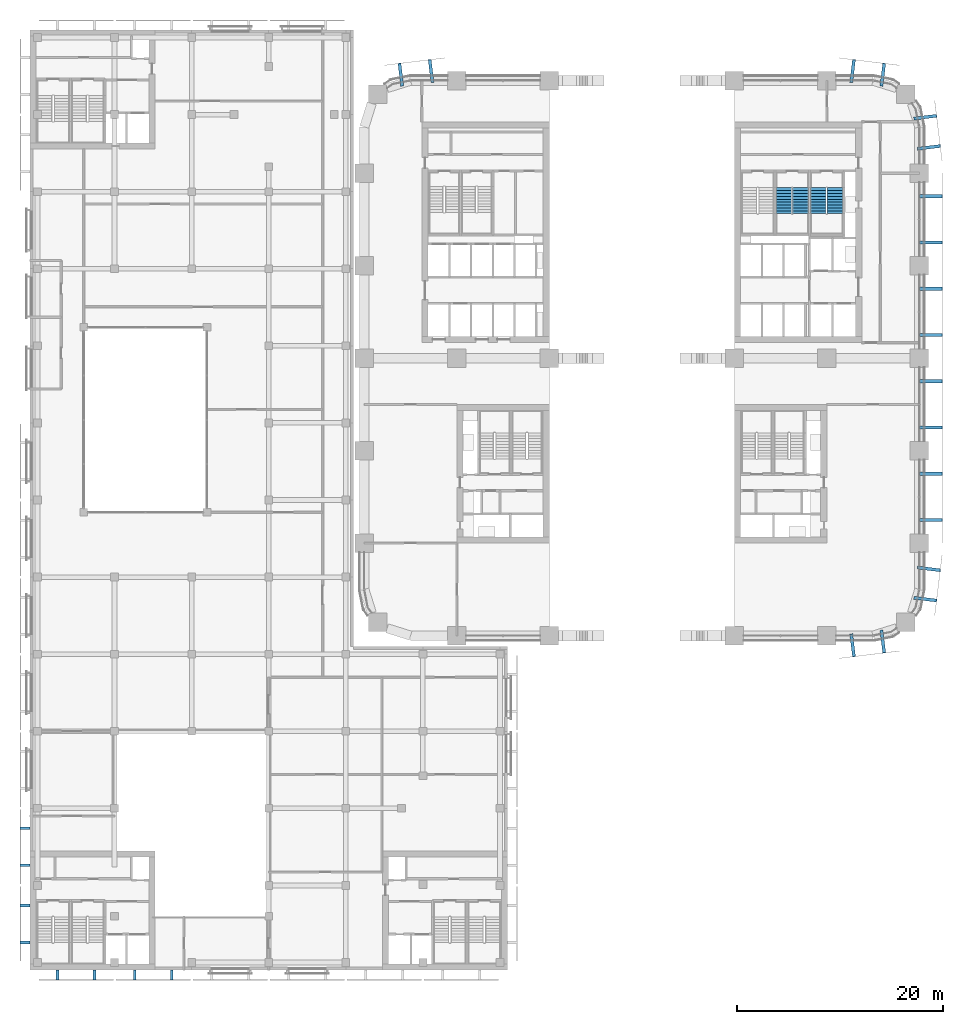
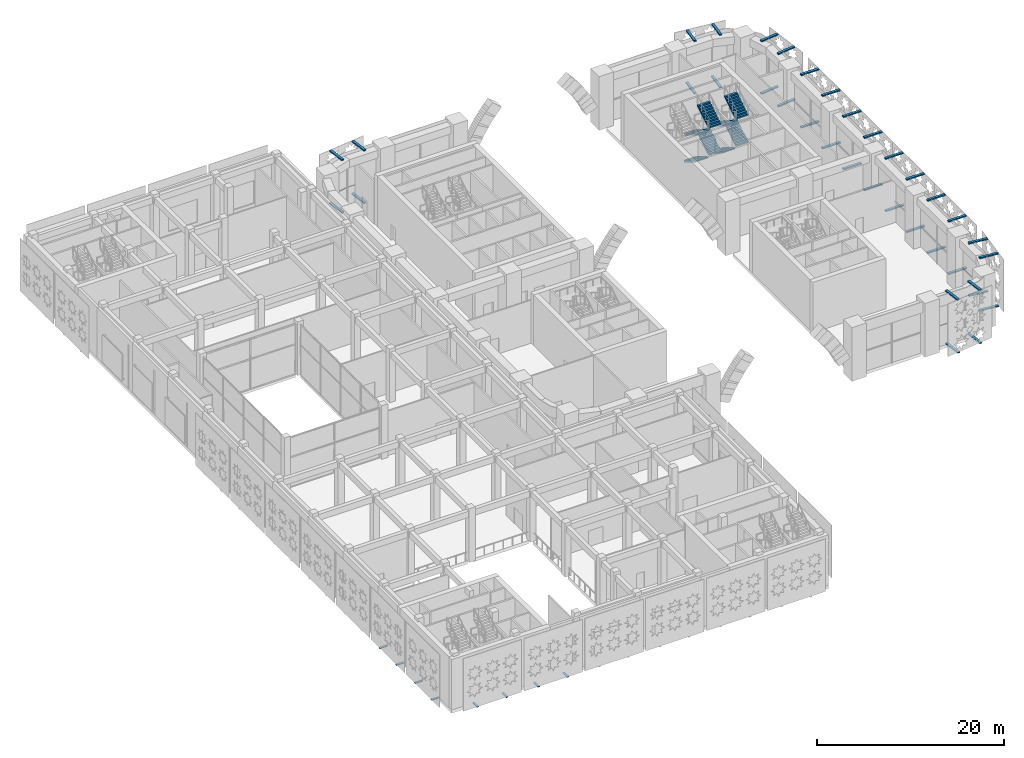
# One storey, part 26 of 42: 44 discrete accessories, 8 stair flights, 2 elements without a shape of their own.
"""IFC4 building model written with IfcOpenShell, lengths in metres."""

from ifc_helpers import new_model, si_unit, direction, frame, origin, origin_2d, place, context, subcontext, project, spatial, polyline, rectangle, outline, extrude, material, type_object, element, aggregate, save


model = new_model("IFC4")

# Units and contexts
model_context = context("Model", 3, precision=1e-05, world=origin(), true_north=direction((0.0, 1.0)))
body_context = subcontext(model_context, "Body", "Model", "MODEL_VIEW")
ifc_project = project(units=[si_unit("LENGTHUNIT", "METRE"), si_unit("AREAUNIT", "SQUARE_METRE"), si_unit("VOLUMEUNIT", "CUBIC_METRE"), si_unit("PLANEANGLEUNIT", "RADIAN"), si_unit("MASSUNIT", "GRAM", prefix="KILO")], contexts=[model_context])

# Site, building, storey
site_placement = place(None, origin())
site = spatial("IfcSite", under=ifc_project, at=site_placement, CompositionType="ELEMENT")
building_placement = place(site_placement, origin())
building = spatial("IfcBuilding", under=site, at=building_placement, Name="Tessera Arch", CompositionType="ELEMENT")
storey_placement = place(building_placement, frame((0.0, 0.0, 14.0)))
storey = spatial("IfcBuildingStorey", under=building, at=storey_placement, Name="L02", CompositionType="ELEMENT", Elevation=14.0)

# Stair, stair flights
ifc_material_1 = material(Name="Concrete C40/50", Category="concrete")
stair_type = type_object("IfcStairType", Name="Dogleg stair 1520", PredefinedType="HALF_TURN_STAIR", material=ifc_material_1)
stair_1_placement = place(storey_placement, origin())
stair_1 = element("IfcStair", 1, at=stair_1_placement, inside=storey, type_object=stair_type, Name="L02 S1b", PredefinedType="HALF_TURN_STAIR")
ifc_material_2 = material(Name="Concrete C40/50", Category="concrete")
stair_flight_type = type_object("IfcStairFlightType", Name="Stair flight 1520", PredefinedType="STRAIGHT", material=ifc_material_2)
stair_flight_1_placement = place(storey_placement, frame((40.81005859375, 43.580078125, 0.0), z_axis=(0.0, 0.0, 1.0), x_axis=(0.0, -1.0, 0.0)))
stair_flight_1 = element("IfcStairFlight", 2, at=stair_flight_1_placement, type_object=stair_flight_type, Name="S1b flight 1", NumberOfRisers=10, NumberOfTreads=9, PredefinedType="STRAIGHT", RiserHeight=0.175, TreadLength=0.28, context=body_context, shape_type="SweptSolid", body=[
    extrude(outline(polyline([(0.0, 0.0), (0.0, 0.175048828125), (0.280029296875, 0.175048828125), (0.280029296875, 0.35009765625), (0.56005859375, 0.35009765625), (0.56005859375, 0.52490234375), (0.840087890625, 0.52490234375), (0.840087890625, 0.699951171875), (1.1201171875, 0.699951171875), (1.1201171875, 0.875), (1.39990234375, 0.875), (1.39990234375, 1.050048828125), (1.679931640625, 1.050048828125), (1.679931640625, 1.22509765625), (1.9599609375, 1.22509765625), (1.9599609375, 1.39990234375), (2.239990234375, 1.39990234375), (2.239990234375, 1.574951171875), (2.52001953125, 1.574951171875), (2.52001953125, 1.75), (2.52001953125, 1.398193359375), (0.28271484375, 0.0), (0.0, 0.0)])), frame((0.0, 0.760009765625, 0.0), z_axis=(0.0, -1.0, 0.0), x_axis=(1.0, 0.0, 0.0)), (0.0, 0.0, 1.0), 1.52001953125),
])
stair_flight_2_placement = place(storey_placement, frame((42.43994140625, 41.06005859375, 1.75), z_axis=(0.0, 0.0, 1.0), x_axis=(0.0, 1.0, 0.0)))
stair_flight_2 = element("IfcStairFlight", 3, at=stair_flight_2_placement, type_object=stair_flight_type, Name="S1b flight 2", NumberOfRisers=10, NumberOfTreads=9, PredefinedType="STRAIGHT", RiserHeight=0.175, TreadLength=0.28, context=body_context, shape_type="SweptSolid", body=[
    extrude(outline(polyline([(0.0, 0.0), (0.0, 0.175048828125), (0.280029296875, 0.175048828125), (0.280029296875, 0.35009765625), (0.56005859375, 0.35009765625), (0.56005859375, 0.52490234375), (0.840087890625, 0.52490234375), (0.840087890625, 0.699951171875), (1.1201171875, 0.699951171875), (1.1201171875, 0.875), (1.39990234375, 0.875), (1.39990234375, 1.050048828125), (1.679931640625, 1.050048828125), (1.679931640625, 1.22509765625), (1.9599609375, 1.22509765625), (1.9599609375, 1.39990234375), (2.239990234375, 1.39990234375), (2.239990234375, 1.574951171875), (2.52001953125, 1.574951171875), (2.52001953125, 1.75), (2.52001953125, 1.398193359375), (0.28271484375, 0.0), (0.0, 0.0)])), frame((0.0, 0.760009765625, 0.0), z_axis=(0.0, -1.0, 0.0), x_axis=(1.0, 0.0, 0.0)), (0.0, 0.0, 1.0), 1.52001953125),
])
stair_flight_3_placement = place(storey_placement, frame((40.81005859375, 43.580078125, 3.5), z_axis=(0.0, 0.0, 1.0), x_axis=(0.0, -1.0, 0.0)))
stair_flight_3 = element("IfcStairFlight", 4, at=stair_flight_3_placement, type_object=stair_flight_type, Name="S1b flight 3", NumberOfRisers=10, NumberOfTreads=9, PredefinedType="STRAIGHT", RiserHeight=0.175, TreadLength=0.28, context=body_context, shape_type="SweptSolid", body=[
    extrude(outline(polyline([(0.0, 0.0), (0.0, 0.175048828125), (0.280029296875, 0.175048828125), (0.280029296875, 0.35009765625), (0.56005859375, 0.35009765625), (0.56005859375, 0.52490234375), (0.840087890625, 0.52490234375), (0.840087890625, 0.699951171875), (1.1201171875, 0.699951171875), (1.1201171875, 0.875), (1.39990234375, 0.875), (1.39990234375, 1.050048828125), (1.679931640625, 1.050048828125), (1.679931640625, 1.22509765625), (1.9599609375, 1.22509765625), (1.9599609375, 1.39990234375), (2.239990234375, 1.39990234375), (2.239990234375, 1.574951171875), (2.52001953125, 1.574951171875), (2.52001953125, 1.75), (2.52001953125, 1.398193359375), (0.28271484375, 0.0), (0.0, 0.0)])), frame((0.0, 0.760009765625, 0.0), z_axis=(0.0, -1.0, 0.0), x_axis=(1.0, 0.0, 0.0)), (0.0, 0.0, 1.0), 1.52001953125),
])
stair_flight_4_placement = place(storey_placement, frame((42.43994140625, 41.06005859375, 5.25), z_axis=(0.0, 0.0, 1.0), x_axis=(0.0, 1.0, 0.0)))
stair_flight_4 = element("IfcStairFlight", 5, at=stair_flight_4_placement, type_object=stair_flight_type, Name="S1b flight 4", NumberOfRisers=10, NumberOfTreads=9, PredefinedType="STRAIGHT", RiserHeight=0.175, TreadLength=0.28, context=body_context, shape_type="SweptSolid", body=[
    extrude(outline(polyline([(0.0, 0.0), (0.0, 0.175048828125), (0.280029296875, 0.175048828125), (0.280029296875, 0.35009765625), (0.56005859375, 0.35009765625), (0.56005859375, 0.52490234375), (0.840087890625, 0.52490234375), (0.840087890625, 0.699951171875), (1.1201171875, 0.699951171875), (1.1201171875, 0.875), (1.39990234375, 0.875), (1.39990234375, 1.050048828125), (1.679931640625, 1.050048828125), (1.679931640625, 1.22509765625), (1.9599609375, 1.22509765625), (1.9599609375, 1.39990234375), (2.239990234375, 1.39990234375), (2.239990234375, 1.574951171875), (2.52001953125, 1.574951171875), (2.52001953125, 1.75), (2.52001953125, 1.398193359375), (0.28271484375, 0.0), (0.0, 0.0)])), frame((0.0, 0.760009765625, 0.0), z_axis=(0.0, -1.0, 0.0), x_axis=(1.0, 0.0, 0.0)), (0.0, 0.0, 1.0), 1.52001953125),
])
aggregate(stair_1, [stair_flight_1, stair_flight_2, stair_flight_3, stair_flight_4])

stair_2_placement = place(storey_placement, origin())
stair_2 = element("IfcStair", 6, at=stair_2_placement, inside=storey, type_object=stair_type, Name="L02 S1c", PredefinedType="HALF_TURN_STAIR")
stair_flight_5_placement = place(storey_placement, frame((44.159912109375, 43.580078125, 0.0), z_axis=(0.0, 0.0, 1.0), x_axis=(0.0, -1.0, 0.0)))
stair_flight_5 = element("IfcStairFlight", 7, at=stair_flight_5_placement, type_object=stair_flight_type, Name="S1c flight 1", NumberOfRisers=10, NumberOfTreads=9, PredefinedType="STRAIGHT", RiserHeight=0.175, TreadLength=0.28, context=body_context, shape_type="SweptSolid", body=[
    extrude(outline(polyline([(0.0, 0.0), (0.0, 0.175048828125), (0.280029296875, 0.175048828125), (0.280029296875, 0.35009765625), (0.56005859375, 0.35009765625), (0.56005859375, 0.52490234375), (0.840087890625, 0.52490234375), (0.840087890625, 0.699951171875), (1.1201171875, 0.699951171875), (1.1201171875, 0.875), (1.39990234375, 0.875), (1.39990234375, 1.050048828125), (1.679931640625, 1.050048828125), (1.679931640625, 1.22509765625), (1.9599609375, 1.22509765625), (1.9599609375, 1.39990234375), (2.239990234375, 1.39990234375), (2.239990234375, 1.574951171875), (2.52001953125, 1.574951171875), (2.52001953125, 1.75), (2.52001953125, 1.398193359375), (0.28271484375, 0.0), (0.0, 0.0)])), frame((0.0, 0.760009765625, 0.0), z_axis=(0.0, -1.0, 0.0), x_axis=(1.0, 0.0, 0.0)), (0.0, 0.0, 1.0), 1.52001953125),
])
stair_flight_6_placement = place(storey_placement, frame((45.7900390625, 41.06005859375, 1.75), z_axis=(0.0, 0.0, 1.0), x_axis=(0.0, 1.0, 0.0)))
stair_flight_6 = element("IfcStairFlight", 8, at=stair_flight_6_placement, type_object=stair_flight_type, Name="S1c flight 2", NumberOfRisers=10, NumberOfTreads=9, PredefinedType="STRAIGHT", RiserHeight=0.175, TreadLength=0.28, context=body_context, shape_type="SweptSolid", body=[
    extrude(outline(polyline([(0.0, 0.0), (0.0, 0.175048828125), (0.280029296875, 0.175048828125), (0.280029296875, 0.35009765625), (0.56005859375, 0.35009765625), (0.56005859375, 0.52490234375), (0.840087890625, 0.52490234375), (0.840087890625, 0.699951171875), (1.1201171875, 0.699951171875), (1.1201171875, 0.875), (1.39990234375, 0.875), (1.39990234375, 1.050048828125), (1.679931640625, 1.050048828125), (1.679931640625, 1.22509765625), (1.9599609375, 1.22509765625), (1.9599609375, 1.39990234375), (2.239990234375, 1.39990234375), (2.239990234375, 1.574951171875), (2.52001953125, 1.574951171875), (2.52001953125, 1.75), (2.52001953125, 1.398193359375), (0.28271484375, 0.0), (0.0, 0.0)])), frame((0.0, 0.760009765625, 0.0), z_axis=(0.0, -1.0, 0.0), x_axis=(1.0, 0.0, 0.0)), (0.0, 0.0, 1.0), 1.52001953125),
])
stair_flight_7_placement = place(storey_placement, frame((44.159912109375, 43.580078125, 3.5), z_axis=(0.0, 0.0, 1.0), x_axis=(0.0, -1.0, 0.0)))
stair_flight_7 = element("IfcStairFlight", 9, at=stair_flight_7_placement, type_object=stair_flight_type, Name="S1c flight 3", NumberOfRisers=10, NumberOfTreads=9, PredefinedType="STRAIGHT", RiserHeight=0.175, TreadLength=0.28, context=body_context, shape_type="SweptSolid", body=[
    extrude(outline(polyline([(0.0, 0.0), (0.0, 0.175048828125), (0.280029296875, 0.175048828125), (0.280029296875, 0.35009765625), (0.56005859375, 0.35009765625), (0.56005859375, 0.52490234375), (0.840087890625, 0.52490234375), (0.840087890625, 0.699951171875), (1.1201171875, 0.699951171875), (1.1201171875, 0.875), (1.39990234375, 0.875), (1.39990234375, 1.050048828125), (1.679931640625, 1.050048828125), (1.679931640625, 1.22509765625), (1.9599609375, 1.22509765625), (1.9599609375, 1.39990234375), (2.239990234375, 1.39990234375), (2.239990234375, 1.574951171875), (2.52001953125, 1.574951171875), (2.52001953125, 1.75), (2.52001953125, 1.398193359375), (0.28271484375, 0.0), (0.0, 0.0)])), frame((0.0, 0.760009765625, 0.0), z_axis=(0.0, -1.0, 0.0), x_axis=(1.0, 0.0, 0.0)), (0.0, 0.0, 1.0), 1.52001953125),
])
stair_flight_8_placement = place(storey_placement, frame((45.7900390625, 41.06005859375, 5.25), z_axis=(0.0, 0.0, 1.0), x_axis=(0.0, 1.0, 0.0)))
stair_flight_8 = element("IfcStairFlight", 10, at=stair_flight_8_placement, type_object=stair_flight_type, Name="S1c flight 4", NumberOfRisers=10, NumberOfTreads=9, PredefinedType="STRAIGHT", RiserHeight=0.175, TreadLength=0.28, context=body_context, shape_type="SweptSolid", body=[
    extrude(outline(polyline([(0.0, 0.0), (0.0, 0.175048828125), (0.280029296875, 0.175048828125), (0.280029296875, 0.35009765625), (0.56005859375, 0.35009765625), (0.56005859375, 0.52490234375), (0.840087890625, 0.52490234375), (0.840087890625, 0.699951171875), (1.1201171875, 0.699951171875), (1.1201171875, 0.875), (1.39990234375, 0.875), (1.39990234375, 1.050048828125), (1.679931640625, 1.050048828125), (1.679931640625, 1.22509765625), (1.9599609375, 1.22509765625), (1.9599609375, 1.39990234375), (2.239990234375, 1.39990234375), (2.239990234375, 1.574951171875), (2.52001953125, 1.574951171875), (2.52001953125, 1.75), (2.52001953125, 1.398193359375), (0.28271484375, 0.0), (0.0, 0.0)])), frame((0.0, 0.760009765625, 0.0), z_axis=(0.0, -1.0, 0.0), x_axis=(1.0, 0.0, 0.0)), (0.0, 0.0, 1.0), 1.52001953125),
])
aggregate(stair_2, [stair_flight_5, stair_flight_6, stair_flight_7, stair_flight_8])

# Discrete accessories
discrete_accessory_1_placement = place(storey_placement, frame((6.493408203125, 54.9375, 0.0), z_axis=(0.0, 0.0, 1.0), x_axis=(-0.120951161885, 0.992658459108, 0.0)))
element("IfcDiscreteAccessory", 11, at=discrete_accessory_1_placement, inside=storey, Name="Screen panel bracket", PredefinedType="BRACKET", context=body_context, shape_type="SweptSolid", body=[
    extrude(rectangle(XDim=2.25, YDim=0.300048828125, at=origin_2d()), origin(), (0.0, 0.0, 1.0), 0.159912109375),
])
discrete_accessory_2_placement = place(storey_placement, frame((6.49658203125, 54.91259765625, 6.83984375), z_axis=(0.0, 0.0, 1.0), x_axis=(-0.120951161885, 0.992658459108, 0.0)))
element("IfcDiscreteAccessory", 12, at=discrete_accessory_2_placement, inside=storey, Name="Screen panel bracket", PredefinedType="BRACKET", context=body_context, shape_type="SweptSolid", body=[
    extrude(rectangle(XDim=2.199951171875, YDim=0.300048828125, at=origin_2d()), origin(), (0.0, 0.0, 1.0), 0.159912109375),
])
discrete_accessory_3_placement = place(storey_placement, frame((3.552490234375, 54.5791015625, 0.0), z_axis=(0.0, 0.0, 1.0), x_axis=(-0.120951161885, 0.992658459108, 0.0)))
element("IfcDiscreteAccessory", 13, at=discrete_accessory_3_placement, inside=storey, Name="Screen panel bracket", PredefinedType="BRACKET", context=body_context, shape_type="SweptSolid", body=[
    extrude(rectangle(XDim=2.25, YDim=0.300048828125, at=origin_2d()), origin(), (0.0, 0.0, 1.0), 0.159912109375),
])
discrete_accessory_4_placement = place(storey_placement, frame((3.555419921875, 54.554443359375, 6.83984375), z_axis=(0.0, 0.0, 1.0), x_axis=(-0.120951161885, 0.992658459108, 0.0)))
element("IfcDiscreteAccessory", 14, at=discrete_accessory_4_placement, inside=storey, Name="Screen panel bracket", PredefinedType="BRACKET", context=body_context, shape_type="SweptSolid", body=[
    extrude(rectangle(XDim=2.199951171875, YDim=0.300048828125, at=origin_2d()), origin(), (0.0, 0.0, 1.0), 0.159912109375),
])
discrete_accessory_5_placement = place(storey_placement, frame((55.125, 11.25, 0.0), z_axis=(0.0, 0.0, 1.0), x_axis=(1.0, 0.0, 0.0)))
element("IfcDiscreteAccessory", 15, at=discrete_accessory_5_placement, inside=storey, Name="Screen panel bracket", PredefinedType="BRACKET", context=body_context, shape_type="SweptSolid", body=[
    extrude(rectangle(XDim=2.25, YDim=0.300048828125, at=origin_2d()), origin(), (0.0, 0.0, 1.0), 0.159912109375),
])
discrete_accessory_6_placement = place(storey_placement, frame((55.10009765625, 11.25, 6.83984375), z_axis=(0.0, 0.0, 1.0), x_axis=(1.0, 0.0, 0.0)))
element("IfcDiscreteAccessory", 16, at=discrete_accessory_6_placement, inside=storey, Name="Screen panel bracket", PredefinedType="BRACKET", context=body_context, shape_type="SweptSolid", body=[
    extrude(rectangle(XDim=2.199951171875, YDim=0.300048828125, at=origin_2d()), origin(), (0.0, 0.0, 1.0), 0.159912109375),
])
discrete_accessory_7_placement = place(storey_placement, frame((55.125, 15.75, 0.0), z_axis=(0.0, 0.0, 1.0), x_axis=(1.0, 0.0, 0.0)))
element("IfcDiscreteAccessory", 17, at=discrete_accessory_7_placement, inside=storey, Name="Screen panel bracket", PredefinedType="BRACKET", context=body_context, shape_type="SweptSolid", body=[
    extrude(rectangle(XDim=2.25, YDim=0.300048828125, at=origin_2d()), origin(), (0.0, 0.0, 1.0), 0.159912109375),
])
discrete_accessory_8_placement = place(storey_placement, frame((55.10009765625, 15.75, 6.83984375), z_axis=(0.0, 0.0, 1.0), x_axis=(1.0, 0.0, 0.0)))
element("IfcDiscreteAccessory", 18, at=discrete_accessory_8_placement, inside=storey, Name="Screen panel bracket", PredefinedType="BRACKET", context=body_context, shape_type="SweptSolid", body=[
    extrude(rectangle(XDim=2.199951171875, YDim=0.300048828125, at=origin_2d()), origin(), (0.0, 0.0, 1.0), 0.159912109375),
])
discrete_accessory_9_placement = place(storey_placement, frame((55.125, 20.25, 0.0), z_axis=(0.0, 0.0, 1.0), x_axis=(1.0, 0.0, 0.0)))
element("IfcDiscreteAccessory", 19, at=discrete_accessory_9_placement, inside=storey, Name="Screen panel bracket", PredefinedType="BRACKET", context=body_context, shape_type="SweptSolid", body=[
    extrude(rectangle(XDim=2.25, YDim=0.300048828125, at=origin_2d()), origin(), (0.0, 0.0, 1.0), 0.159912109375),
])
discrete_accessory_10_placement = place(storey_placement, frame((55.10009765625, 20.25, 6.83984375), z_axis=(0.0, 0.0, 1.0), x_axis=(1.0, 0.0, 0.0)))
element("IfcDiscreteAccessory", 20, at=discrete_accessory_10_placement, inside=storey, Name="Screen panel bracket", PredefinedType="BRACKET", context=body_context, shape_type="SweptSolid", body=[
    extrude(rectangle(XDim=2.199951171875, YDim=0.300048828125, at=origin_2d()), origin(), (0.0, 0.0, 1.0), 0.159912109375),
])
discrete_accessory_11_placement = place(storey_placement, frame((55.125, 24.75, 0.0), z_axis=(0.0, 0.0, 1.0), x_axis=(1.0, 0.0, 0.0)))
element("IfcDiscreteAccessory", 21, at=discrete_accessory_11_placement, inside=storey, Name="Screen panel bracket", PredefinedType="BRACKET", context=body_context, shape_type="SweptSolid", body=[
    extrude(rectangle(XDim=2.25, YDim=0.300048828125, at=origin_2d()), origin(), (0.0, 0.0, 1.0), 0.159912109375),
])
discrete_accessory_12_placement = place(storey_placement, frame((55.10009765625, 24.75, 6.83984375), z_axis=(0.0, 0.0, 1.0), x_axis=(1.0, 0.0, 0.0)))
element("IfcDiscreteAccessory", 22, at=discrete_accessory_12_placement, inside=storey, Name="Screen panel bracket", PredefinedType="BRACKET", context=body_context, shape_type="SweptSolid", body=[
    extrude(rectangle(XDim=2.199951171875, YDim=0.300048828125, at=origin_2d()), origin(), (0.0, 0.0, 1.0), 0.159912109375),
])
discrete_accessory_13_placement = place(storey_placement, frame((55.125, 29.25, 0.0), z_axis=(0.0, 0.0, 1.0), x_axis=(1.0, 0.0, 0.0)))
element("IfcDiscreteAccessory", 23, at=discrete_accessory_13_placement, inside=storey, Name="Screen panel bracket", PredefinedType="BRACKET", context=body_context, shape_type="SweptSolid", body=[
    extrude(rectangle(XDim=2.25, YDim=0.300048828125, at=origin_2d()), origin(), (0.0, 0.0, 1.0), 0.159912109375),
])
discrete_accessory_14_placement = place(storey_placement, frame((55.10009765625, 29.25, 6.83984375), z_axis=(0.0, 0.0, 1.0), x_axis=(1.0, 0.0, 0.0)))
element("IfcDiscreteAccessory", 24, at=discrete_accessory_14_placement, inside=storey, Name="Screen panel bracket", PredefinedType="BRACKET", context=body_context, shape_type="SweptSolid", body=[
    extrude(rectangle(XDim=2.199951171875, YDim=0.300048828125, at=origin_2d()), origin(), (0.0, 0.0, 1.0), 0.159912109375),
])
discrete_accessory_15_placement = place(storey_placement, frame((55.125, 33.75, 0.0), z_axis=(0.0, 0.0, 1.0), x_axis=(1.0, 0.0, 0.0)))
element("IfcDiscreteAccessory", 25, at=discrete_accessory_15_placement, inside=storey, Name="Screen panel bracket", PredefinedType="BRACKET", context=body_context, shape_type="SweptSolid", body=[
    extrude(rectangle(XDim=2.25, YDim=0.300048828125, at=origin_2d()), origin(), (0.0, 0.0, 1.0), 0.159912109375),
])
discrete_accessory_16_placement = place(storey_placement, frame((55.10009765625, 33.75, 6.83984375), z_axis=(0.0, 0.0, 1.0), x_axis=(1.0, 0.0, 0.0)))
element("IfcDiscreteAccessory", 26, at=discrete_accessory_16_placement, inside=storey, Name="Screen panel bracket", PredefinedType="BRACKET", context=body_context, shape_type="SweptSolid", body=[
    extrude(rectangle(XDim=2.199951171875, YDim=0.300048828125, at=origin_2d()), origin(), (0.0, 0.0, 1.0), 0.159912109375),
])
discrete_accessory_17_placement = place(storey_placement, frame((55.125, 38.25, 0.0), z_axis=(0.0, 0.0, 1.0), x_axis=(1.0, 0.0, 0.0)))
element("IfcDiscreteAccessory", 27, at=discrete_accessory_17_placement, inside=storey, Name="Screen panel bracket", PredefinedType="BRACKET", context=body_context, shape_type="SweptSolid", body=[
    extrude(rectangle(XDim=2.25, YDim=0.300048828125, at=origin_2d()), origin(), (0.0, 0.0, 1.0), 0.159912109375),
])
discrete_accessory_18_placement = place(storey_placement, frame((55.10009765625, 38.25, 6.83984375), z_axis=(0.0, 0.0, 1.0), x_axis=(1.0, 0.0, 0.0)))
element("IfcDiscreteAccessory", 28, at=discrete_accessory_18_placement, inside=storey, Name="Screen panel bracket", PredefinedType="BRACKET", context=body_context, shape_type="SweptSolid", body=[
    extrude(rectangle(XDim=2.199951171875, YDim=0.300048828125, at=origin_2d()), origin(), (0.0, 0.0, 1.0), 0.159912109375),
])
discrete_accessory_19_placement = place(storey_placement, frame((55.125, 42.75, 0.0), z_axis=(0.0, 0.0, 1.0), x_axis=(1.0, 0.0, 0.0)))
element("IfcDiscreteAccessory", 29, at=discrete_accessory_19_placement, inside=storey, Name="Screen panel bracket", PredefinedType="BRACKET", context=body_context, shape_type="SweptSolid", body=[
    extrude(rectangle(XDim=2.25, YDim=0.300048828125, at=origin_2d()), origin(), (0.0, 0.0, 1.0), 0.159912109375),
])
discrete_accessory_20_placement = place(storey_placement, frame((55.10009765625, 42.75, 6.83984375), z_axis=(0.0, 0.0, 1.0), x_axis=(1.0, 0.0, 0.0)))
element("IfcDiscreteAccessory", 30, at=discrete_accessory_20_placement, inside=storey, Name="Screen panel bracket", PredefinedType="BRACKET", context=body_context, shape_type="SweptSolid", body=[
    extrude(rectangle(XDim=2.199951171875, YDim=0.300048828125, at=origin_2d()), origin(), (0.0, 0.0, 1.0), 0.159912109375),
])
discrete_accessory_21_placement = place(storey_placement, frame((54.9375, 47.506591796875, 0.0), z_axis=(0.0, 0.0, 1.0), x_axis=(0.992658459108, 0.120951161885, 0.0)))
element("IfcDiscreteAccessory", 31, at=discrete_accessory_21_placement, inside=storey, Name="Screen panel bracket", PredefinedType="BRACKET", context=body_context, shape_type="SweptSolid", body=[
    extrude(rectangle(XDim=2.25, YDim=0.300048828125, at=origin_2d()), origin(), (0.0, 0.0, 1.0), 0.159912109375),
])
discrete_accessory_22_placement = place(storey_placement, frame((54.91259765625, 47.50341796875, 6.83984375), z_axis=(0.0, 0.0, 1.0), x_axis=(0.992658459108, 0.120951161885, 0.0)))
element("IfcDiscreteAccessory", 32, at=discrete_accessory_22_placement, inside=storey, Name="Screen panel bracket", PredefinedType="BRACKET", context=body_context, shape_type="SweptSolid", body=[
    extrude(rectangle(XDim=2.199951171875, YDim=0.300048828125, at=origin_2d()), origin(), (0.0, 0.0, 1.0), 0.159912109375),
])
discrete_accessory_23_placement = place(storey_placement, frame((54.5791015625, 50.447509765625, 0.0), z_axis=(0.0, 0.0, 1.0), x_axis=(0.992658459108, 0.120951161885, 0.0)))
element("IfcDiscreteAccessory", 33, at=discrete_accessory_23_placement, inside=storey, Name="Screen panel bracket", PredefinedType="BRACKET", context=body_context, shape_type="SweptSolid", body=[
    extrude(rectangle(XDim=2.25, YDim=0.300048828125, at=origin_2d()), origin(), (0.0, 0.0, 1.0), 0.159912109375),
])
discrete_accessory_24_placement = place(storey_placement, frame((54.554443359375, 50.444580078125, 6.83984375), z_axis=(0.0, 0.0, 1.0), x_axis=(0.992658459108, 0.120951161885, 0.0)))
element("IfcDiscreteAccessory", 34, at=discrete_accessory_24_placement, inside=storey, Name="Screen panel bracket", PredefinedType="BRACKET", context=body_context, shape_type="SweptSolid", body=[
    extrude(rectangle(XDim=2.199951171875, YDim=0.300048828125, at=origin_2d()), origin(), (0.0, 0.0, 1.0), 0.159912109375),
])
discrete_accessory_25_placement = place(storey_placement, frame((50.447509765625, 54.5791015625, 0.0), z_axis=(0.0, 0.0, 1.0), x_axis=(0.120951161885, 0.992658459108, 0.0)))
element("IfcDiscreteAccessory", 35, at=discrete_accessory_25_placement, inside=storey, Name="Screen panel bracket", PredefinedType="BRACKET", context=body_context, shape_type="SweptSolid", body=[
    extrude(rectangle(XDim=2.25, YDim=0.300048828125, at=origin_2d()), origin(), (0.0, 0.0, 1.0), 0.159912109375),
])
discrete_accessory_26_placement = place(storey_placement, frame((50.444580078125, 54.554443359375, 6.83984375), z_axis=(0.0, 0.0, 1.0), x_axis=(0.120951161885, 0.992658459108, 0.0)))
element("IfcDiscreteAccessory", 36, at=discrete_accessory_26_placement, inside=storey, Name="Screen panel bracket", PredefinedType="BRACKET", context=body_context, shape_type="SweptSolid", body=[
    extrude(rectangle(XDim=2.199951171875, YDim=0.300048828125, at=origin_2d()), origin(), (0.0, 0.0, 1.0), 0.159912109375),
])
discrete_accessory_27_placement = place(storey_placement, frame((47.506591796875, 54.9375, 0.0), z_axis=(0.0, 0.0, 1.0), x_axis=(0.120951161885, 0.992658459108, 0.0)))
element("IfcDiscreteAccessory", 37, at=discrete_accessory_27_placement, inside=storey, Name="Screen panel bracket", PredefinedType="BRACKET", context=body_context, shape_type="SweptSolid", body=[
    extrude(rectangle(XDim=2.25, YDim=0.300048828125, at=origin_2d()), origin(), (0.0, 0.0, 1.0), 0.159912109375),
])
discrete_accessory_28_placement = place(storey_placement, frame((47.50341796875, 54.91259765625, 6.83984375), z_axis=(0.0, 0.0, 1.0), x_axis=(0.120951161885, 0.992658459108, 0.0)))
element("IfcDiscreteAccessory", 38, at=discrete_accessory_28_placement, inside=storey, Name="Screen panel bracket", PredefinedType="BRACKET", context=body_context, shape_type="SweptSolid", body=[
    extrude(rectangle(XDim=2.199951171875, YDim=0.300048828125, at=origin_2d()), origin(), (0.0, 0.0, 1.0), 0.159912109375),
])
discrete_accessory_29_placement = place(storey_placement, frame((47.506591796875, -0.9375, 0.0), z_axis=(0.0, 0.0, 1.0), x_axis=(0.120951161885, -0.992658459108, 0.0)))
element("IfcDiscreteAccessory", 39, at=discrete_accessory_29_placement, inside=storey, Name="Screen panel bracket", PredefinedType="BRACKET", context=body_context, shape_type="SweptSolid", body=[
    extrude(rectangle(XDim=2.25, YDim=0.300048828125, at=origin_2d()), origin(), (0.0, 0.0, 1.0), 0.159912109375),
])
discrete_accessory_30_placement = place(storey_placement, frame((47.50341796875, -0.91259765625, 6.83984375), z_axis=(0.0, 0.0, 1.0), x_axis=(0.120951161885, -0.992658459108, 0.0)))
element("IfcDiscreteAccessory", 40, at=discrete_accessory_30_placement, inside=storey, Name="Screen panel bracket", PredefinedType="BRACKET", context=body_context, shape_type="SweptSolid", body=[
    extrude(rectangle(XDim=2.199951171875, YDim=0.300048828125, at=origin_2d()), origin(), (0.0, 0.0, 1.0), 0.159912109375),
])
discrete_accessory_31_placement = place(storey_placement, frame((50.447509765625, -0.5791015625, 0.0), z_axis=(0.0, 0.0, 1.0), x_axis=(0.120951161885, -0.992658459108, 0.0)))
element("IfcDiscreteAccessory", 41, at=discrete_accessory_31_placement, inside=storey, Name="Screen panel bracket", PredefinedType="BRACKET", context=body_context, shape_type="SweptSolid", body=[
    extrude(rectangle(XDim=2.25, YDim=0.300048828125, at=origin_2d()), origin(), (0.0, 0.0, 1.0), 0.159912109375),
])
discrete_accessory_32_placement = place(storey_placement, frame((50.444580078125, -0.554443359375, 6.83984375), z_axis=(0.0, 0.0, 1.0), x_axis=(0.120951161885, -0.992658459108, 0.0)))
element("IfcDiscreteAccessory", 42, at=discrete_accessory_32_placement, inside=storey, Name="Screen panel bracket", PredefinedType="BRACKET", context=body_context, shape_type="SweptSolid", body=[
    extrude(rectangle(XDim=2.199951171875, YDim=0.300048828125, at=origin_2d()), origin(), (0.0, 0.0, 1.0), 0.159912109375),
])
discrete_accessory_33_placement = place(storey_placement, frame((54.5791015625, 3.552490234375, 0.0), z_axis=(0.0, 0.0, 1.0), x_axis=(0.992658459108, -0.120951161885, 0.0)))
element("IfcDiscreteAccessory", 43, at=discrete_accessory_33_placement, inside=storey, Name="Screen panel bracket", PredefinedType="BRACKET", context=body_context, shape_type="SweptSolid", body=[
    extrude(rectangle(XDim=2.25, YDim=0.300048828125, at=origin_2d()), origin(), (0.0, 0.0, 1.0), 0.159912109375),
])
discrete_accessory_34_placement = place(storey_placement, frame((54.554443359375, 3.555419921875, 6.83984375), z_axis=(0.0, 0.0, 1.0), x_axis=(0.992658459108, -0.120951161885, 0.0)))
element("IfcDiscreteAccessory", 44, at=discrete_accessory_34_placement, inside=storey, Name="Screen panel bracket", PredefinedType="BRACKET", context=body_context, shape_type="SweptSolid", body=[
    extrude(rectangle(XDim=2.199951171875, YDim=0.300048828125, at=origin_2d()), origin(), (0.0, 0.0, 1.0), 0.159912109375),
])
discrete_accessory_35_placement = place(storey_placement, frame((54.9375, 6.493408203125, 0.0), z_axis=(0.0, 0.0, 1.0), x_axis=(0.992658459108, -0.120951161885, 0.0)))
element("IfcDiscreteAccessory", 45, at=discrete_accessory_35_placement, inside=storey, Name="Screen panel bracket", PredefinedType="BRACKET", context=body_context, shape_type="SweptSolid", body=[
    extrude(rectangle(XDim=2.25, YDim=0.300048828125, at=origin_2d()), origin(), (0.0, 0.0, 1.0), 0.159912109375),
])
discrete_accessory_36_placement = place(storey_placement, frame((54.91259765625, 6.49658203125, 6.83984375), z_axis=(0.0, 0.0, 1.0), x_axis=(0.992658459108, -0.120951161885, 0.0)))
element("IfcDiscreteAccessory", 46, at=discrete_accessory_36_placement, inside=storey, Name="Screen panel bracket", PredefinedType="BRACKET", context=body_context, shape_type="SweptSolid", body=[
    extrude(rectangle(XDim=2.199951171875, YDim=0.300048828125, at=origin_2d()), origin(), (0.0, 0.0, 1.0), 0.159912109375),
])
for number, where, z_axis, x_axis, name in (
    (47, (-29.85009765625, -33.02490234375, 0.0), (0.0, 0.0, 1.0), (0.0, -1.0, 0.0), "Screen panel bracket"),
    (48, (-26.25, -33.02490234375, 0.0), (0.0, 0.0, 1.0), (0.0, -1.0, 0.0), "Screen panel bracket"),
    (49, (-22.35009765625, -33.02490234375, 0.0), (0.0, 0.0, 1.0), (0.0, -1.0, 0.0), "Screen panel bracket"),
    (50, (-18.75, -33.02490234375, 0.0), (0.0, 0.0, 1.0), (0.0, -1.0, 0.0), "Screen panel bracket"),
    (51, (-33.02490234375, -18.75, 0.0), (0.0, 0.0, 1.0), (-1.0, 0.0, 0.0), "Screen panel bracket"),
    (52, (-33.02490234375, -22.35009765625, 0.0), (0.0, 0.0, 1.0), (-1.0, 0.0, 0.0), "Screen panel bracket"),
    (53, (-33.02490234375, -26.25, 0.0), (0.0, 0.0, 1.0), (-1.0, 0.0, 0.0), "Screen panel bracket"),
    (54, (-33.02490234375, -29.85009765625, 0.0), (0.0, 0.0, 1.0), (-1.0, 0.0, 0.0), "Screen panel bracket"),
):
    element("IfcDiscreteAccessory", number, at=place(storey_placement, frame(where, z_axis=z_axis, x_axis=x_axis)), inside=storey, Name=name, PredefinedType="BRACKET", context=body_context, shape_type="SweptSolid", body=[
        extrude(rectangle(XDim=0.949951171875, YDim=0.25, at=origin_2d()), origin(), (0.0, 0.0, 1.0), 0.10009765625),
    ])

save(model, "model.ifc")
